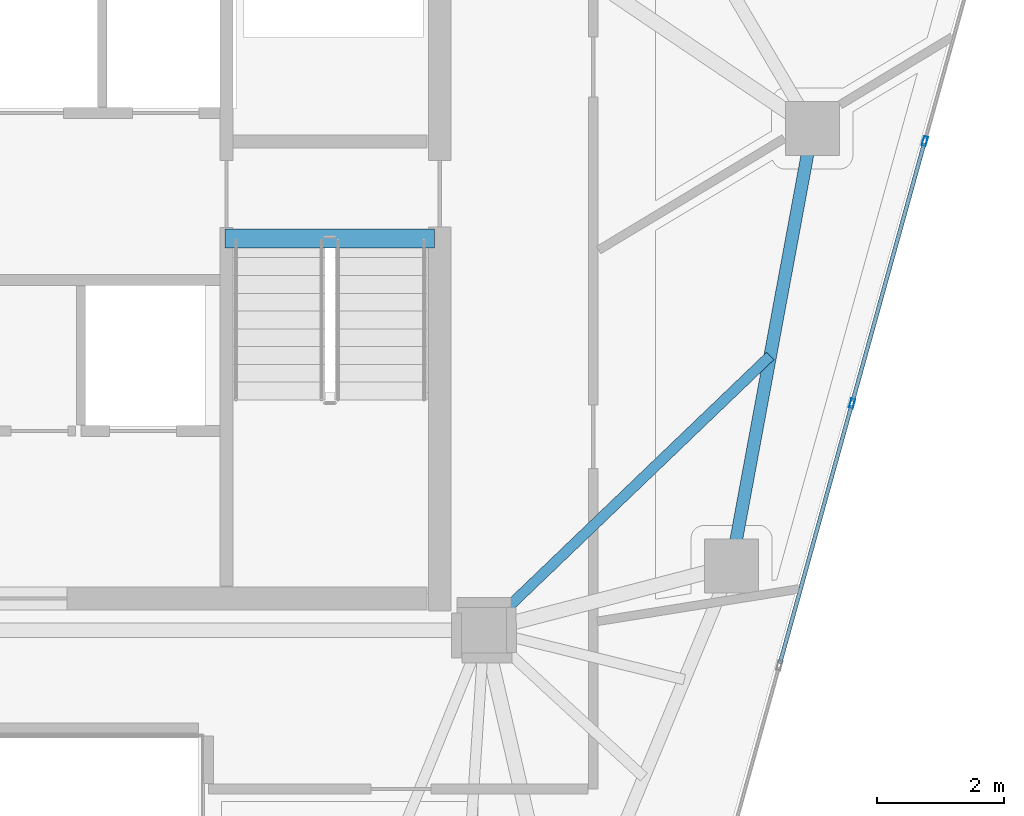
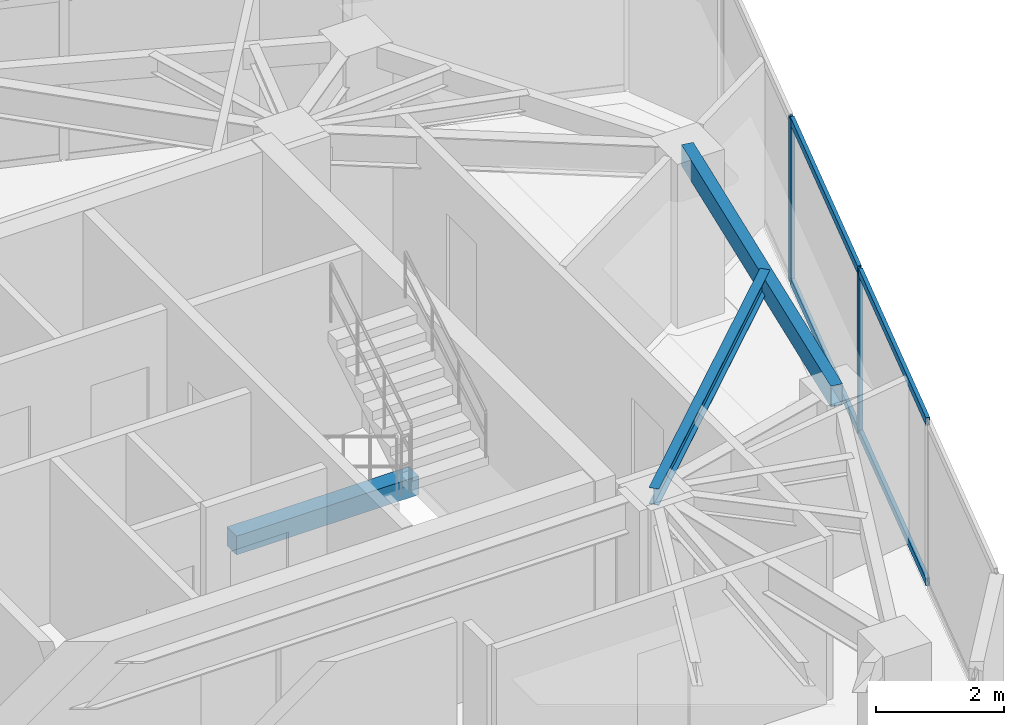
# One storey, part 12 of 20: 6 members, 3 beams, 1 element without a shape of its own.
"""IFC4 building model written with IfcOpenShell, lengths in metres."""

from ifc_helpers import new_model, si_unit, direction, frame, origin, origin_2d, place, context, subcontext, project, spatial, rectangle, hollow_rectangle, i_section, extrude, source, transform, mapped, material, layer, layer_set, material_profile, profile_set, type_object, type_shapes, element, aggregate, save


model = new_model("IFC4")

# Units and contexts
model_context = context("Model", 3, precision=1e-05, world=origin(), true_north=direction((0.0, 1.0)))
body_context = subcontext(model_context, "Body", "Model", "MODEL_VIEW")
ifc_project = project(units=[si_unit("LENGTHUNIT", "METRE"), si_unit("AREAUNIT", "SQUARE_METRE"), si_unit("VOLUMEUNIT", "CUBIC_METRE"), si_unit("PLANEANGLEUNIT", "RADIAN"), si_unit("MASSUNIT", "GRAM", prefix="KILO")], contexts=[model_context])

# Site, building, storey
site_placement = place(None, origin())
site = spatial("IfcSite", under=ifc_project, at=site_placement, CompositionType="ELEMENT")
building_placement = place(site_placement, origin())
building = spatial("IfcBuilding", under=site, at=building_placement, Name="Talar Marvaseh", CompositionType="ELEMENT")
storey_placement = place(building_placement, frame((0.0, 0.0, 254.39990234375)))
storey = spatial("IfcBuildingStorey", under=building, at=storey_placement, Name="L67", CompositionType="ELEMENT", Elevation=254.39990234375)

# Beams
ifc_material_1 = material(Name="Concrete C40/50", Category="concrete")
ifc_material_profile_1 = material_profile(ifc_material_1, rectangle(XDim=0.300048828125, YDim=0.360107421875, at=origin_2d()), Name="RC300x360")
ifc_profile_set_1 = profile_set([ifc_material_profile_1], Name="Concrete C40/50")
beam_type_1 = type_object("IfcBeamType", Name="Concrete Stair Landing Trimmer Beam RC300x360", PredefinedType="SPANDREL", material=ifc_profile_set_1)
beam_1_placement = place(storey_placement, frame((29.219970703125, 31.669921875, -0.179931640625), z_axis=(1.0, 0.0, 0.0), x_axis=(0.0, 1.0, 0.0)))
element("IfcBeam", 1, at=beam_1_placement, inside=storey, type_object=beam_type_1, Name="L67 ST-2 Stair Nosing Trimmer Beam", PredefinedType="SPANDREL", context=body_context, shape_type="SweptSolid", body=[
    extrude(rectangle(XDim=0.300048828125, YDim=0.360107421875, at=origin_2d()), origin(), (0.0, 0.0, 1.0), 3.300048828125),
])
ifc_material_2 = material(Name="Steel S355", Category="steel")
ifc_material_profile_2 = material_profile(ifc_material_2, hollow_rectangle(XDim=0.199951171875, YDim=0.39990234375, WallThickness=0.013916015625, at=origin_2d()), Name="RHS400x200x14")
ifc_profile_set_2 = profile_set([ifc_material_profile_2], Name="Steel S355")
beam_type_2 = type_object("IfcBeamType", Name="Zone 3 Perimeter Spandrel Beam RHS400x200x14", PredefinedType="SPANDREL", material=ifc_profile_set_2)
beam_2_placement = place(storey_placement, frame((38.470947265625, 33.406005859375, 2.940185546875), z_axis=(-0.181759950929, -0.983342931148, 0.0), x_axis=(0.983342931148, -0.181759950929, 0.0)))
element("IfcBeam", 2, at=beam_2_placement, inside=storey, type_object=beam_type_2, Name="L67 Zone 3 Perimeter Spandrel Beam RHS400x200x14", PredefinedType="SPANDREL", context=body_context, shape_type="SweptSolid", body=[
    extrude(hollow_rectangle(XDim=0.199951171875, YDim=0.39990234375, WallThickness=0.013916015625, at=origin_2d()), origin(), (0.0, 0.0, 1.0), 7.0087890625),
])
ifc_material_profile_3 = material_profile(ifc_material_2, i_section(OverallWidth=0.166015625, OverallDepth=0.31298828125, WebThickness=0.006591796875, FlangeThickness=0.01123046875, at=origin_2d()), Name="W310x45")
ifc_profile_set_3 = profile_set([ifc_material_profile_3], Name="Steel S355")
beam_type_3 = type_object("IfcBeamType", Name="Zone 3 Secondary Floor Joist W310x45", PredefinedType="JOIST", material=ifc_profile_set_3)
beam_3_placement = place(storey_placement, frame((37.80859375, 29.822265625, 2.983642578125), z_axis=(-0.721862081493, -0.692036946486, 0.0), x_axis=(0.692036946486, -0.721862081493, 0.0)))
element("IfcBeam", 3, at=beam_3_placement, inside=storey, type_object=beam_type_3, Name="L67 Zone 3 Secondary Floor Joist W310x45", PredefinedType="JOIST", context=body_context, shape_type="SweptSolid", body=[
    extrude(i_section(OverallWidth=0.166015625, OverallDepth=0.31298828125, WebThickness=0.006591796875, FlangeThickness=0.01123046875, at=origin_2d()), origin(), (0.0, 0.0, 1.0), 6.24560546875),
])

# Curtain wall, members
ifc_material_3 = material(Name="Architectural Aluminium", Category="aluminium")
ifc_layer = layer(ifc_material_3, 0.179931640625)
ifc_layer_set = layer_set([ifc_layer], Name="Architectural Aluminium")
curtain_wall_type = type_object("IfcCurtainWallType", Name="Unitised High-Wind Sky Curtain Wall Z4", PredefinedType="NOTDEFINED", material=ifc_layer_set)
curtain_wall_placement = place(storey_placement, origin())
curtain_wall = element("IfcCurtainWall", 4, at=curtain_wall_placement, inside=storey, type_object=curtain_wall_type, Name="L67 Unitised High-Wind Sky Curtain Wall Z4", PredefinedType="NOTDEFINED")
ifc_material_profile_4 = material_profile(ifc_material_3, hollow_rectangle(XDim=0.06494140625, YDim=0.14990234375, WallThickness=0.00390625, at=origin_2d()), Name="RHS150x65x4")
ifc_profile_set_4 = profile_set([ifc_material_profile_4], Name="Architectural Aluminium")
member_type_1 = type_object("IfcMemberType", Name="Unitised Curtain Wall Slim Transom RHS150x65x4", PredefinedType="USERDEFINED", material=ifc_profile_set_4)
shared_shape_1 = source(origin(), body_context, "Body", "SweptSolid", [
    extrude(hollow_rectangle(XDim=0.06494140625, YDim=0.14990234375, WallThickness=0.00390625, at=origin_2d()), origin(), (0.0, 0.0, 1.0), 4.22119140625),
])
type_shapes(member_type_1, [shared_shape_1])
member_1_placement = place(storey_placement, frame((40.235107421875, 33.17333984375, 0.03271484375), z_axis=(-0.267441011984, -0.963574234353, 0.0), x_axis=(0.963574234353, -0.267441011984, 0.0)))
member_1 = element("IfcMember", 5, at=member_1_placement, type_object=member_type_1, Name="CW-Z4 transom 2.1", ObjectType="TRANSOM", PredefinedType="USERDEFINED", context=body_context, shape_type="MappedRepresentation", body=[
    mapped(shared_shape_1, transform((0.0, 0.0, 0.0), x_axis=(1.0, 0.0, 0.0), y_axis=(0.0, 1.0, 0.0), z_axis=(0.0, 0.0, 1.0), scale=1.0)),
])
member_2_placement = place(storey_placement, frame((40.235107421875, 33.17333984375, 3.107666015625), z_axis=(-0.267441011984, -0.963574234353, 0.0), x_axis=(0.963574234353, -0.267441011984, 0.0)))
member_2 = element("IfcMember", 6, at=member_2_placement, type_object=member_type_1, Name="CW-Z4 transom 2.2", ObjectType="TRANSOM", PredefinedType="USERDEFINED", context=body_context, shape_type="MappedRepresentation", body=[
    mapped(shared_shape_1, transform((0.0, 0.0, 0.0), x_axis=(1.0, 0.0, 0.0), y_axis=(0.0, 1.0, 0.0), z_axis=(0.0, 0.0, 1.0), scale=1.0)),
])
member_3_placement = place(storey_placement, frame((39.0888671875, 29.043212890625, 0.03271484375), z_axis=(-0.267372408591, -0.963593272665, 0.0), x_axis=(0.963593272665, -0.267372408591, 0.0)))
member_3 = element("IfcMember", 7, at=member_3_placement, type_object=member_type_1, Name="CW-Z4 transom 3.1", ObjectType="TRANSOM", PredefinedType="USERDEFINED", context=body_context, shape_type="MappedRepresentation", body=[
    mapped(shared_shape_1, transform((0.0, 0.0, 0.0), x_axis=(1.0, 0.0, 0.0), y_axis=(0.0, 1.0, 0.0), z_axis=(0.0, 0.0, 1.0), scale=1.0)),
])
member_4_placement = place(storey_placement, frame((39.0888671875, 29.043212890625, 3.107666015625), z_axis=(-0.267372408591, -0.963593272665, 0.0), x_axis=(0.963593272665, -0.267372408591, 0.0)))
member_4 = element("IfcMember", 8, at=member_4_placement, type_object=member_type_1, Name="CW-Z4 transom 3.2", ObjectType="TRANSOM", PredefinedType="USERDEFINED", context=body_context, shape_type="MappedRepresentation", body=[
    mapped(shared_shape_1, transform((0.0, 0.0, 0.0), x_axis=(1.0, 0.0, 0.0), y_axis=(0.0, 1.0, 0.0), z_axis=(0.0, 0.0, 1.0), scale=1.0)),
])
ifc_material_profile_5 = material_profile(ifc_material_3, hollow_rectangle(XDim=0.06494140625, YDim=0.14990234375, WallThickness=0.00390625, at=origin_2d()), Name="RHS150x65x4")
ifc_profile_set_5 = profile_set([ifc_material_profile_5], Name="Architectural Aluminium")
member_type_2 = type_object("IfcMemberType", Name="Unitised Curtain Wall Slim Mullion RHS150x65x4", PredefinedType="MULLION", material=ifc_profile_set_5)
shared_shape_2 = source(origin(), body_context, "Body", "SweptSolid", [
    extrude(hollow_rectangle(XDim=0.06494140625, YDim=0.14990234375, WallThickness=0.00390625, at=origin_2d()), origin(), (0.0, 0.0, 1.0), 3.14013671875),
])
type_shapes(member_type_2, [shared_shape_2])
member_5_placement = place(storey_placement, frame((40.24365234375, 33.204833984375, 0.0), z_axis=(0.0, 0.0, 1.0), x_axis=(0.963588318835, -0.267390261237, 0.0)))
member_5 = element("IfcMember", 9, at=member_5_placement, type_object=member_type_2, Name="CW-Z4 mullion 2", PredefinedType="MULLION", context=body_context, shape_type="MappedRepresentation", body=[
    mapped(shared_shape_2, transform((0.0, 0.0, 0.0), x_axis=(1.0, 0.0, 0.0), y_axis=(0.0, 1.0, 0.0), z_axis=(0.0, 0.0, 1.0), scale=1.0)),
])
member_6_placement = place(storey_placement, frame((39.09765625, 29.074462890625, 0.0), z_axis=(0.0, 0.0, 1.0), x_axis=(0.963588318835, -0.267390261237, 0.0)))
member_6 = element("IfcMember", 10, at=member_6_placement, type_object=member_type_2, Name="CW-Z4 mullion 3", PredefinedType="MULLION", context=body_context, shape_type="MappedRepresentation", body=[
    mapped(shared_shape_2, transform((0.0, 0.0, 0.0), x_axis=(1.0, 0.0, 0.0), y_axis=(0.0, 1.0, 0.0), z_axis=(0.0, 0.0, 1.0), scale=1.0)),
])
aggregate(curtain_wall, [member_5, member_6, member_1, member_2, member_3, member_4])

save(model, "model.ifc")
